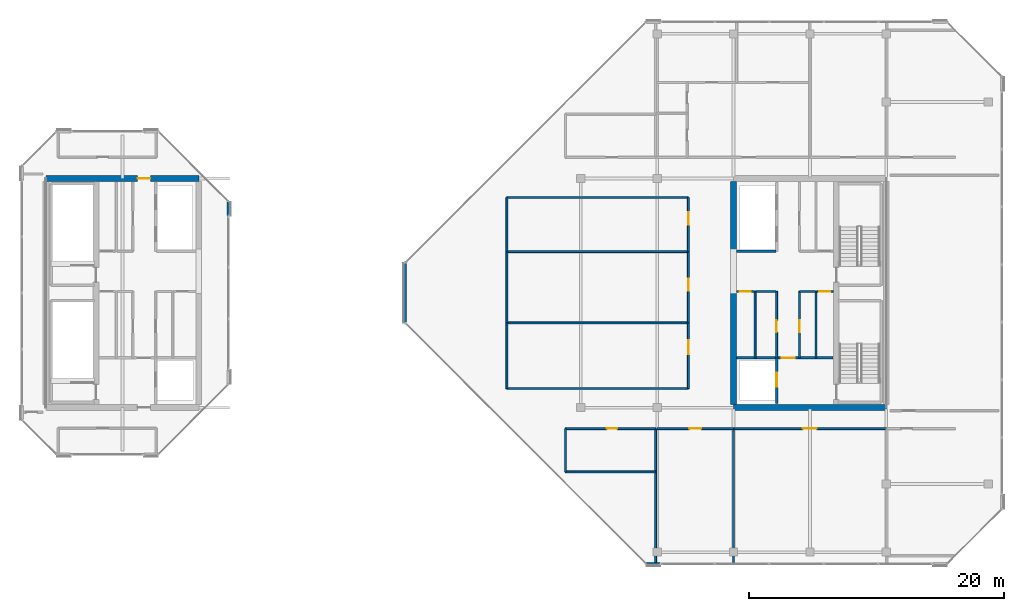
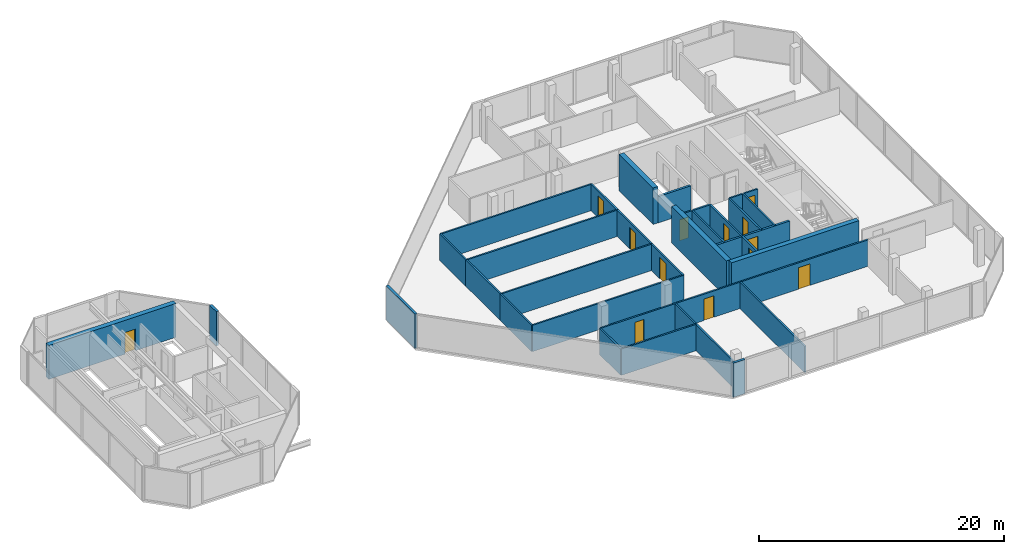
# One storey, part 24 of 28: 35 walls, 13 doors, 13 openings.
"""IFC4 building model written with IfcOpenShell, lengths in metres."""

from ifc_helpers import new_model, si_unit, direction, frame, frame_2d, origin, place, context, subcontext, project, spatial, rectangle, extrude, material, layer, layer_set, type_object, element, fill, save


model = new_model("IFC4")

# Units and contexts
model_context = context("Model", 3, precision=1e-05, world=origin(), true_north=direction((0.0, 1.0)))
body_context = subcontext(model_context, "Body", "Model", "MODEL_VIEW")
ifc_project = project(units=[si_unit("LENGTHUNIT", "METRE"), si_unit("AREAUNIT", "SQUARE_METRE"), si_unit("VOLUMEUNIT", "CUBIC_METRE"), si_unit("PLANEANGLEUNIT", "RADIAN"), si_unit("MASSUNIT", "GRAM", prefix="KILO")], contexts=[model_context])

# Site, building, storey
site_placement = place(None, origin())
site = spatial("IfcSite", under=ifc_project, at=site_placement, CompositionType="ELEMENT")
building_placement = place(site_placement, origin())
building = spatial("IfcBuilding", under=site, at=building_placement, Name="Tanjung Sevakor Pilgrim Tower", CompositionType="ELEMENT")
storey_placement = place(building_placement, frame((0.0, 0.0, 257.070068359375)))
storey = spatial("IfcBuildingStorey", under=building, at=storey_placement, Name="L72", CompositionType="ELEMENT", Elevation=257.070068359375)

# Wall, opening, door
ifc_material_1 = material(Name="Concrete C60/75", Category="concrete")
ifc_layer_1 = layer(ifc_material_1, 0.449951171875)
ifc_layer_set_1 = layer_set([ifc_layer_1], Name="WALL-CW-450")
wall_type_1 = type_object("IfcWallType", Name="WALL-CW-450", PredefinedType="SHEAR", material=ifc_layer_set_1)
wall_1_placement = place(storey_placement, frame((36.0, 42.60009765625, 0.0), z_axis=(0.0, 0.0, 1.0), x_axis=(-1.0, 0.0, 0.0)))
wall_1 = element("IfcWall", 1, at=wall_1_placement, inside=storey, type_object=wall_type_1, Name="L72 W Core North Shear Wall", PredefinedType="SHEAR", context=body_context, shape_type="SweptSolid", body=[
    extrude(rectangle(XDim=12.0, YDim=0.449951171875, at=frame_2d((6.0, 0.0))), origin(), (0.0, 0.0, 1.0), 3.369873046875),
])
opening_1_placement = place(wall_1_placement, frame((3.800048828125, 0.0, 0.0)))
opening_1 = element("IfcOpeningElement", 2, at=opening_1_placement, cuts=wall_1, Name="Opening ID-FD1", PredefinedType="OPENING", context=body_context, shape_type="SweptSolid", body=[
    extrude(rectangle(XDim=1.0, YDim=2.14990234375, at=frame_2d((0.5, 1.074951171875))), frame((0.0, 0.23486328125, 0.0), z_axis=(0.0, -1.0, 0.0), x_axis=(1.0, 0.0, 0.0)), (0.0, 0.0, 1.0), 0.469970703125),
])
ifc_material_2 = material(Name="Fire-Rated Steel S355J2", Category="steel")
door_type_1 = type_object("IfcDoorType", Name="DT-FIRE-1000", OperationType="NOTDEFINED", PredefinedType="DOOR", material=ifc_material_2)
door_1_placement = place(opening_1_placement, origin())
door_1 = element("IfcDoor", 3, at=door_1_placement, inside=storey, type_object=door_type_1, Name="L72 West Core North Vestibule Fire Door", OperationType="SINGLE_SWING_RIGHT", OverallHeight=2.14990234375, OverallWidth=1.0, PredefinedType="DOOR", context=body_context, shape_type="SweptSolid", body=[
    extrude(rectangle(XDim=1.0, YDim=2.14990234375, at=frame_2d((0.5, 1.074951171875))), frame((0.0, 0.02490234375, 0.0), z_axis=(0.0, -1.0, 0.0), x_axis=(1.0, 0.0, 0.0)), (0.0, 0.0, 1.0), 0.050048828125),
])
fill(opening_1, door_1)

# Walls
wall_2_placement = place(storey_placement, frame((78.0, 24.60009765625, 0.0), z_axis=(0.0, 0.0, 1.0), x_axis=(1.0, 0.0, 0.0)))
element("IfcWall", 4, at=wall_2_placement, inside=storey, type_object=wall_type_1, Name="L72 E Core South Shear Wall", PredefinedType="SHEAR", context=body_context, shape_type="SweptSolid", body=[
    extrude(rectangle(XDim=12.0, YDim=0.449951171875, at=frame_2d((6.0, 0.0))), origin(), (0.0, 0.0, 1.0), 3.6298828125),
])
wall_3_placement = place(storey_placement, frame((78.0, 24.824951171875, 0.0), z_axis=(0.0, 0.0, 1.0), x_axis=(0.0, 1.0, 0.0)))
element("IfcWall", 5, at=wall_3_placement, inside=storey, type_object=wall_type_1, Name="L72 E Core Inner Shear Wall South", PredefinedType="SHEAR", context=body_context, shape_type="SweptSolid", body=[
    extrude(rectangle(XDim=8.97509765625, YDim=0.449951171875, at=frame_2d((4.487548828125, 0.0))), origin(), (0.0, 0.0, 1.0), 3.6298828125),
])
wall_4_placement = place(storey_placement, frame((78.0, 36.800048828125, 0.0), z_axis=(0.0, 0.0, 1.0), x_axis=(0.0, 1.0, 0.0)))
element("IfcWall", 6, at=wall_4_placement, inside=storey, type_object=wall_type_1, Name="L72 E Core Inner Shear Wall North", PredefinedType="SHEAR", context=body_context, shape_type="SweptSolid", body=[
    extrude(rectangle(XDim=5.574951171875, YDim=0.449951171875, at=frame_2d((2.78759765625, 0.0))), origin(), (0.0, 0.0, 1.0), 3.6298828125),
])
ifc_material_3 = material(Name="Concrete C40/50", Category="concrete")
ifc_layer_2 = layer(ifc_material_3, 0.14990234375)
ifc_layer_set_2 = layer_set([ifc_layer_2], Name="WT-COMP-150")
wall_type_2 = type_object("IfcWallType", Name="WT-COMP-150", PredefinedType="SOLIDWALL", material=ifc_layer_set_2)
wall_5_placement = place(storey_placement, frame((84.47998046875, 28.5, 0.0), z_axis=(0.0, 0.0, 1.0), x_axis=(0.0, 1.0, 0.0)))
element("IfcWall", 7, at=wall_5_placement, inside=storey, type_object=wall_type_2, Name="L72 Partition IW-L72-019", PredefinedType="SOLIDWALL", context=body_context, shape_type="SweptSolid", body=[
    extrude(rectangle(XDim=5.219970703125, YDim=0.14990234375, at=frame_2d((2.60986328125, 0.0))), origin(), (0.0, 0.0, 1.0), 2.6298828125),
])

# Wall, opening, door
wall_6_placement = place(storey_placement, frame((84.550048828125, 33.719970703125, 0.0), z_axis=(0.0, 0.0, 1.0), x_axis=(1.0, 0.0, 0.0)))
wall_6 = element("IfcWall", 8, at=wall_6_placement, inside=storey, type_object=wall_type_2, Name="L72 Partition IW-L72-020", PredefinedType="SOLIDWALL", context=body_context, shape_type="SweptSolid", body=[
    extrude(rectangle(XDim=1.280029296875, YDim=0.14990234375, at=frame_2d((0.64013671875, 0.0))), origin(), (0.0, 0.0, 1.0), 2.6298828125),
])
opening_2_placement = place(wall_6_placement, frame((0.179931640625, 0.0, 0.0)))
opening_2 = element("IfcOpeningElement", 9, at=opening_2_placement, cuts=wall_6, Name="Opening ID-FD3", PredefinedType="OPENING", context=body_context, shape_type="SweptSolid", body=[
    extrude(rectangle(XDim=0.85009765625, YDim=2.10009765625, at=frame_2d((0.425048828125, 1.050048828125))), frame((0.0, 0.0849609375, 0.0), z_axis=(0.0, -1.0, 0.0), x_axis=(1.0, 0.0, 0.0)), (0.0, 0.0, 1.0), 0.169921875),
])
ifc_material_4 = material(Name="Fire-Rated Timber", Category="wood")
door_type_2 = type_object("IfcDoorType", Name="DT-FIRE-850", OperationType="NOTDEFINED", PredefinedType="DOOR", material=ifc_material_4)
door_2_placement = place(opening_2_placement, origin())
door_2 = element("IfcDoor", 10, at=door_2_placement, inside=storey, type_object=door_type_2, Name="L72 Cleaner Store Door", OperationType="SINGLE_SWING_RIGHT", OverallHeight=2.10009765625, OverallWidth=0.85009765625, PredefinedType="DOOR", context=body_context, shape_type="SweptSolid", body=[
    extrude(rectangle(XDim=0.85009765625, YDim=2.10009765625, at=frame_2d((0.425048828125, 1.050048828125))), frame((0.0, 0.02490234375, 0.0), z_axis=(0.0, -1.0, 0.0), x_axis=(1.0, 0.0, 0.0)), (0.0, 0.0, 1.0), 0.050048828125),
])
fill(opening_2, door_2)

# Wall
wall_7_placement = place(storey_placement, frame((83.199951171875, 33.719970703125, 0.0), z_axis=(0.0, 0.0, 1.0), x_axis=(1.0, 0.0, 0.0)))
element("IfcWall", 11, at=wall_7_placement, inside=storey, type_object=wall_type_2, Name="L72 Partition IW-L72-021", PredefinedType="SOLIDWALL", context=body_context, shape_type="SweptSolid", body=[
    extrude(rectangle(XDim=1.219970703125, YDim=0.14990234375, at=frame_2d((0.60986328125, 0.0))), origin(), (0.0, 0.0, 1.0), 2.6298828125),
])

# Wall, opening, door
wall_8_placement = place(storey_placement, frame((83.179931640625, 28.5, 0.0), z_axis=(0.0, 0.0, 1.0), x_axis=(0.0, 1.0, 0.0)))
wall_8 = element("IfcWall", 12, at=wall_8_placement, inside=storey, type_object=wall_type_2, Name="L72 Partition IW-L72-022", PredefinedType="SOLIDWALL", context=body_context, shape_type="SweptSolid", body=[
    extrude(rectangle(XDim=5.219970703125, YDim=0.14990234375, at=frame_2d((2.60986328125, 0.0))), origin(), (0.0, 0.0, 1.0), 2.6298828125),
])
opening_3_placement = place(wall_8_placement, frame((2.0, 0.0, 0.0)))
opening_3 = element("IfcOpeningElement", 13, at=opening_3_placement, cuts=wall_8, Name="Opening ID-FD2", PredefinedType="OPENING", context=body_context, shape_type="SweptSolid", body=[
    extrude(rectangle(XDim=0.949951171875, YDim=2.14990234375, at=frame_2d((0.47509765625, 1.074951171875))), frame((0.0, 0.0849609375, 0.0), z_axis=(0.0, -1.0, 0.0), x_axis=(1.0, 0.0, 0.0)), (0.0, 0.0, 1.0), 0.169921875),
])
ifc_material_5 = material(Name="Fire-Rated Timber", Category="wood")
door_type_3 = type_object("IfcDoorType", Name="DT-FIRE-950", OperationType="NOTDEFINED", PredefinedType="DOOR", material=ifc_material_5)
door_3_placement = place(opening_3_placement, origin())
door_3 = element("IfcDoor", 14, at=door_3_placement, inside=storey, type_object=door_type_3, Name="L72 Housekeeping Pantry Door", OperationType="SINGLE_SWING_LEFT", OverallHeight=2.14990234375, OverallWidth=0.949951171875, PredefinedType="DOOR", context=body_context, shape_type="SweptSolid", body=[
    extrude(rectangle(XDim=0.949951171875, YDim=2.14990234375, at=frame_2d((0.47509765625, 1.074951171875))), frame((0.0, 0.02490234375, 0.0), z_axis=(0.0, -1.0, 0.0), x_axis=(1.0, 0.0, 0.0)), (0.0, 0.0, 1.0), 0.050048828125),
])
fill(opening_3, door_3)

# Walls
wall_9_placement = place(storey_placement, frame((79.699951171875, 28.5, 0.0), z_axis=(0.0, 0.0, 1.0), x_axis=(0.0, 1.0, 0.0)))
element("IfcWall", 15, at=wall_9_placement, inside=storey, type_object=wall_type_2, Name="L72 Partition IW-L72-023", PredefinedType="SOLIDWALL", context=body_context, shape_type="SweptSolid", body=[
    extrude(rectangle(XDim=5.219970703125, YDim=0.14990234375, at=frame_2d((2.60986328125, 0.0))), origin(), (0.0, 0.0, 1.0), 2.6298828125),
])
wall_10_placement = place(storey_placement, frame((79.760009765625, 33.719970703125, 0.0), z_axis=(0.0, 0.0, 1.0), x_axis=(1.0, 0.0, 0.0)))
element("IfcWall", 16, at=wall_10_placement, inside=storey, type_object=wall_type_2, Name="L72 Partition IW-L72-024", PredefinedType="SOLIDWALL", context=body_context, shape_type="SweptSolid", body=[
    extrude(rectangle(XDim=1.56005859375, YDim=0.14990234375, at=frame_2d((0.780029296875, 0.0))), origin(), (0.0, 0.0, 1.0), 2.6298828125),
])

# Wall, opening, door
wall_11_placement = place(storey_placement, frame((78.2451171875, 33.719970703125, 0.0), z_axis=(0.0, 0.0, 1.0), x_axis=(1.0, 0.0, 0.0)))
wall_11 = element("IfcWall", 17, at=wall_11_placement, inside=storey, type_object=wall_type_2, Name="L72 Partition IW-L72-025", PredefinedType="SOLIDWALL", context=body_context, shape_type="SweptSolid", body=[
    extrude(rectangle(XDim=1.394775390625, YDim=0.14990234375, at=frame_2d((0.697265625, 0.0))), origin(), (0.0, 0.0, 1.0), 2.6298828125),
])
opening_4_placement = place(wall_11_placement, frame((0.239990234375, 0.0, 0.0)))
opening_4 = element("IfcOpeningElement", 18, at=opening_4_placement, cuts=wall_11, Name="Opening ID-FD3", PredefinedType="OPENING", context=body_context, shape_type="SweptSolid", body=[
    extrude(rectangle(XDim=0.85009765625, YDim=2.10009765625, at=frame_2d((0.425048828125, 1.050048828125))), frame((0.0, 0.0849609375, 0.0), z_axis=(0.0, -1.0, 0.0), x_axis=(1.0, 0.0, 0.0)), (0.0, 0.0, 1.0), 0.169921875),
])
door_4_placement = place(opening_4_placement, origin())
door_4 = element("IfcDoor", 19, at=door_4_placement, inside=storey, type_object=door_type_2, Name="L72 Service Store Door", OperationType="SINGLE_SWING_RIGHT", OverallHeight=2.10009765625, OverallWidth=0.85009765625, PredefinedType="DOOR", context=body_context, shape_type="SweptSolid", body=[
    extrude(rectangle(XDim=0.85009765625, YDim=2.10009765625, at=frame_2d((0.425048828125, 1.050048828125))), frame((0.0, 0.02490234375, 0.0), z_axis=(0.0, -1.0, 0.0), x_axis=(1.0, 0.0, 0.0)), (0.0, 0.0, 1.0), 0.050048828125),
])
fill(opening_4, door_4)

wall_12_placement = place(storey_placement, frame((81.3798828125, 28.5, 0.0), z_axis=(0.0, 0.0, 1.0), x_axis=(0.0, 1.0, 0.0)))
wall_12 = element("IfcWall", 20, at=wall_12_placement, inside=storey, type_object=wall_type_2, Name="L72 Partition IW-L72-026", PredefinedType="SOLIDWALL", context=body_context, shape_type="SweptSolid", body=[
    extrude(rectangle(XDim=5.219970703125, YDim=0.14990234375, at=frame_2d((2.60986328125, 0.0))), origin(), (0.0, 0.0, 1.0), 2.6298828125),
])
opening_5_placement = place(wall_12_placement, frame((2.0, 0.0, 0.0)))
opening_5 = element("IfcOpeningElement", 21, at=opening_5_placement, cuts=wall_12, Name="Opening ID-FD2", PredefinedType="OPENING", context=body_context, shape_type="SweptSolid", body=[
    extrude(rectangle(XDim=0.949951171875, YDim=2.14990234375, at=frame_2d((0.47509765625, 1.074951171875))), frame((0.0, 0.0849609375, 0.0), z_axis=(0.0, -1.0, 0.0), x_axis=(1.0, 0.0, 0.0)), (0.0, 0.0, 1.0), 0.169921875),
])
door_5_placement = place(opening_5_placement, origin())
door_5 = element("IfcDoor", 22, at=door_5_placement, inside=storey, type_object=door_type_3, Name="L72 Accessible WC Door", OperationType="SINGLE_SWING_LEFT", OverallHeight=2.14990234375, OverallWidth=0.949951171875, PredefinedType="DOOR", context=body_context, shape_type="SweptSolid", body=[
    extrude(rectangle(XDim=0.949951171875, YDim=2.14990234375, at=frame_2d((0.47509765625, 1.074951171875))), frame((0.0, 0.02490234375, 0.0), z_axis=(0.0, -1.0, 0.0), x_axis=(1.0, 0.0, 0.0)), (0.0, 0.0, 1.0), 0.050048828125),
])
fill(opening_5, door_5)

# Wall
wall_13_placement = place(storey_placement, frame((64.800048828125, 19.550048828125, 0.0), z_axis=(0.0, 0.0, 1.0), x_axis=(1.0, 0.0, 0.0)))
element("IfcWall", 23, at=wall_13_placement, inside=storey, type_object=wall_type_2, Name="L72 Partition IW-L72-041", PredefinedType="SOLIDWALL", context=body_context, shape_type="SweptSolid", body=[
    extrude(rectangle(XDim=7.079833984375, YDim=0.14990234375, at=frame_2d((3.5400390625, 0.0))), origin(), (0.0, 0.0, 1.0), 2.6298828125),
])

# Wall, opening, door
wall_14_placement = place(storey_placement, frame((64.800048828125, 22.949951171875, 0.0), z_axis=(0.0, 0.0, 1.0), x_axis=(1.0, 0.0, 0.0)))
wall_14 = element("IfcWall", 24, at=wall_14_placement, inside=storey, type_object=wall_type_2, Name="L72 Partition IW-L72-042", PredefinedType="SOLIDWALL", context=body_context, shape_type="SweptSolid", body=[
    extrude(rectangle(XDim=7.079833984375, YDim=0.14990234375, at=frame_2d((3.5400390625, 0.0))), origin(), (0.0, 0.0, 1.0), 2.6298828125),
])
opening_6_placement = place(wall_14_placement, frame((3.22509765625, 0.0, 0.0)))
opening_6 = element("IfcOpeningElement", 25, at=opening_6_placement, cuts=wall_14, Name="Opening ID-WC1", PredefinedType="OPENING", context=body_context, shape_type="SweptSolid", body=[
    extrude(rectangle(XDim=0.85009765625, YDim=2.10009765625, at=frame_2d((0.425048828125, 1.050048828125))), frame((0.0, 0.0849609375, 0.0), z_axis=(0.0, -1.0, 0.0), x_axis=(1.0, 0.0, 0.0)), (0.0, 0.0, 1.0), 0.169921875),
])
ifc_material_6 = material(Name="Moisture-Resistant Timber", Category="wood")
door_type_4 = type_object("IfcDoorType", Name="DT-INT-850", OperationType="NOTDEFINED", PredefinedType="DOOR", material=ifc_material_6)
door_6_placement = place(opening_6_placement, origin())
door_6 = element("IfcDoor", 26, at=door_6_placement, inside=storey, type_object=door_type_4, Name="L72 SW Crown Suite Door", OperationType="SINGLE_SWING_LEFT", OverallHeight=2.10009765625, OverallWidth=0.85009765625, PredefinedType="DOOR", context=body_context, shape_type="SweptSolid", body=[
    extrude(rectangle(XDim=0.85009765625, YDim=2.10009765625, at=frame_2d((0.425048828125, 1.050048828125))), frame((0.0, 0.02490234375, 0.0), z_axis=(0.0, -1.0, 0.0), x_axis=(1.0, 0.0, 0.0)), (0.0, 0.0, 1.0), 0.050048828125),
])
fill(opening_6, door_6)

# Walls
wall_15_placement = place(storey_placement, frame((64.800048828125, 19.550048828125, 0.0), z_axis=(0.0, 0.0, 1.0), x_axis=(0.0, 1.0, 0.0)))
element("IfcWall", 27, at=wall_15_placement, inside=storey, type_object=wall_type_2, Name="L72 Partition IW-L72-043", PredefinedType="SOLIDWALL", context=body_context, shape_type="SweptSolid", body=[
    extrude(rectangle(XDim=3.39990234375, YDim=0.14990234375, at=frame_2d((1.699951171875, 0.0))), origin(), (0.0, 0.0, 1.0), 2.6298828125),
])
for number, where, z_axis, x_axis, name in (
    (28, (71.8798828125, 12.340087890625, 0.0), (0.0, 0.0, 1.0), (0.0, 1.0, 0.0), "L72 Partition IW-L72-044"),
    (29, (78.0, 12.340087890625, 0.0), (0.0, 0.0, 1.0), (0.0, 1.0, 0.0), "L72 Partition IW-L72-057"),
):
    element("IfcWall", number, at=place(storey_placement, frame(where, z_axis=z_axis, x_axis=x_axis)), inside=storey, type_object=wall_type_2, Name=name, PredefinedType="SOLIDWALL", context=body_context, shape_type="SweptSolid", body=[
        extrude(rectangle(XDim=10.60986328125, YDim=0.14990234375, at=frame_2d((5.304931640625, 0.0))), origin(), (0.0, 0.0, 1.0), 2.6298828125),
    ])

# Wall, opening, door
wall_16_placement = place(storey_placement, frame((72.0, 22.949951171875, 0.0), z_axis=(0.0, 0.0, 1.0), x_axis=(1.0, 0.0, 0.0)))
wall_16 = element("IfcWall", 30, at=wall_16_placement, inside=storey, type_object=wall_type_2, Name="L72 Partition IW-L72-058", PredefinedType="SOLIDWALL", context=body_context, shape_type="SweptSolid", body=[
    extrude(rectangle(XDim=6.0, YDim=0.14990234375, at=frame_2d((3.0, 0.0))), origin(), (0.0, 0.0, 1.0), 2.6298828125),
])
opening_7_placement = place(wall_16_placement, frame((2.52490234375, 0.0, 0.0)))
opening_7 = element("IfcOpeningElement", 31, at=opening_7_placement, cuts=wall_16, Name="Opening ID-FD2", PredefinedType="OPENING", context=body_context, shape_type="SweptSolid", body=[
    extrude(rectangle(XDim=0.949951171875, YDim=2.14990234375, at=frame_2d((0.47509765625, 1.074951171875))), frame((0.0, 0.0849609375, 0.0), z_axis=(0.0, -1.0, 0.0), x_axis=(1.0, 0.0, 0.0)), (0.0, 0.0, 1.0), 0.169921875),
])
door_7_placement = place(opening_7_placement, origin())
door_7 = element("IfcDoor", 32, at=door_7_placement, inside=storey, type_object=door_type_3, Name="Housekeeping Pantry Door", OperationType="SINGLE_SWING_RIGHT", OverallHeight=2.14990234375, OverallWidth=0.949951171875, PredefinedType="DOOR", context=body_context, shape_type="SweptSolid", body=[
    extrude(rectangle(XDim=0.949951171875, YDim=2.14990234375, at=frame_2d((0.47509765625, 1.074951171875))), frame((0.0, 0.02490234375, 0.0), z_axis=(0.0, -1.0, 0.0), x_axis=(1.0, 0.0, 0.0)), (0.0, 0.0, 1.0), 0.050048828125),
])
fill(opening_7, door_7)

wall_17_placement = place(storey_placement, frame((78.0, 22.949951171875, 0.0), z_axis=(0.0, 0.0, 1.0), x_axis=(1.0, 0.0, 0.0)))
wall_17 = element("IfcWall", 33, at=wall_17_placement, inside=storey, type_object=wall_type_2, Name="L72 Partition IW-L72-059", PredefinedType="SOLIDWALL", context=body_context, shape_type="SweptSolid", body=[
    extrude(rectangle(XDim=12.0, YDim=0.14990234375, at=frame_2d((6.0, 0.0))), origin(), (0.0, 0.0, 1.0), 2.6298828125),
])
opening_8_placement = place(wall_17_placement, frame((5.449951171875, 0.0, 0.0)))
opening_8 = element("IfcOpeningElement", 34, at=opening_8_placement, cuts=wall_17, Name="Opening ID-FD0", PredefinedType="OPENING", context=body_context, shape_type="SweptSolid", body=[
    extrude(rectangle(XDim=1.10009765625, YDim=2.14990234375, at=frame_2d((0.550048828125, 1.074951171875))), frame((0.0, 0.0849609375, 0.0), z_axis=(0.0, -1.0, 0.0), x_axis=(1.0, 0.0, 0.0)), (0.0, 0.0, 1.0), 0.169921875),
])
ifc_material_7 = material(Name="Fire-Rated Steel S355J2", Category="steel")
door_type_5 = type_object("IfcDoorType", Name="DT-FIRE-1100", OperationType="NOTDEFINED", PredefinedType="DOOR", material=ifc_material_7)
door_8_placement = place(opening_8_placement, origin())
door_8 = element("IfcDoor", 35, at=door_8_placement, inside=storey, type_object=door_type_5, Name="Communal Lounge Door", OperationType="SINGLE_SWING_LEFT", OverallHeight=2.14990234375, OverallWidth=1.10009765625, PredefinedType="DOOR", context=body_context, shape_type="SweptSolid", body=[
    extrude(rectangle(XDim=1.10009765625, YDim=2.14990234375, at=frame_2d((0.550048828125, 1.074951171875))), frame((0.0, 0.02490234375, 0.0), z_axis=(0.0, -1.0, 0.0), x_axis=(1.0, 0.0, 0.0)), (0.0, 0.0, 1.0), 0.050048828125),
])
fill(opening_8, door_8)

# Walls
for number, where, z_axis, x_axis, name in (
    (36, (60.199951171875, 26.10009765625, 0.0), (0.0, 0.0, 1.0), (1.0, 0.0, 0.0), "L72 Partition IW-L72-067"),
    (37, (60.199951171875, 31.25, 0.0), (0.0, 0.0, 1.0), (1.0, 0.0, 0.0), "L72 Partition IW-L72-068"),
):
    element("IfcWall", number, at=place(storey_placement, frame(where, z_axis=z_axis, x_axis=x_axis)), inside=storey, type_object=wall_type_2, Name=name, PredefinedType="SOLIDWALL", context=body_context, shape_type="SweptSolid", body=[
        extrude(rectangle(XDim=14.25, YDim=0.14990234375, at=frame_2d((7.125, 0.0))), origin(), (0.0, 0.0, 1.0), 2.6298828125),
    ])
wall_18_placement = place(storey_placement, frame((60.199951171875, 26.10009765625, 0.0), z_axis=(0.0, 0.0, 1.0), x_axis=(0.0, 1.0, 0.0)))
element("IfcWall", 38, at=wall_18_placement, inside=storey, type_object=wall_type_2, Name="L72 Partition IW-L72-069", PredefinedType="SOLIDWALL", context=body_context, shape_type="SweptSolid", body=[
    extrude(rectangle(XDim=5.14990234375, YDim=0.14990234375, at=frame_2d((2.574951171875, 0.0))), origin(), (0.0, 0.0, 1.0), 2.6298828125),
])

# Wall, opening, door
wall_19_placement = place(storey_placement, frame((74.449951171875, 26.10009765625, 0.0), z_axis=(0.0, 0.0, 1.0), x_axis=(0.0, 1.0, 0.0)))
wall_19 = element("IfcWall", 39, at=wall_19_placement, inside=storey, type_object=wall_type_2, Name="L72 Partition IW-L72-070", PredefinedType="SOLIDWALL", context=body_context, shape_type="SweptSolid", body=[
    extrude(rectangle(XDim=5.14990234375, YDim=0.14990234375, at=frame_2d((2.574951171875, 0.0))), origin(), (0.0, 0.0, 1.0), 2.6298828125),
])
opening_9_placement = place(wall_19_placement, frame((2.699951171875, 0.0, 0.0)))
opening_9 = element("IfcOpeningElement", 40, at=opening_9_placement, cuts=wall_19, Name="Opening ID-RM2", PredefinedType="OPENING", context=body_context, shape_type="SweptSolid", body=[
    extrude(rectangle(XDim=1.10009765625, YDim=2.14990234375, at=frame_2d((0.550048828125, 1.074951171875))), frame((0.0, 0.0849609375, 0.0), z_axis=(0.0, -1.0, 0.0), x_axis=(1.0, 0.0, 0.0)), (0.0, 0.0, 1.0), 0.169921875),
])
ifc_material_8 = material(Name="Hardwood Timber", Category="wood")
door_type_6 = type_object("IfcDoorType", Name="DT-INT-1100", OperationType="NOTDEFINED", PredefinedType="DOOR", material=ifc_material_8)
door_9_placement = place(opening_9_placement, origin())
door_9 = element("IfcDoor", 41, at=door_9_placement, inside=storey, type_object=door_type_6, Name="L72 South Peak Lounge Door", OperationType="SINGLE_SWING_RIGHT", OverallHeight=2.14990234375, OverallWidth=1.10009765625, PredefinedType="DOOR", context=body_context, shape_type="SweptSolid", body=[
    extrude(rectangle(XDim=1.10009765625, YDim=2.14990234375, at=frame_2d((0.550048828125, 1.074951171875))), frame((0.0, 0.02490234375, 0.0), z_axis=(0.0, -1.0, 0.0), x_axis=(1.0, 0.0, 0.0)), (0.0, 0.0, 1.0), 0.050048828125),
])
fill(opening_9, door_9)

# Walls
wall_20_placement = place(storey_placement, frame((60.199951171875, 36.85009765625, 0.0), z_axis=(0.0, 0.0, 1.0), x_axis=(1.0, 0.0, 0.0)))
element("IfcWall", 42, at=wall_20_placement, inside=storey, type_object=wall_type_2, Name="L72 Partition IW-L72-071", PredefinedType="SOLIDWALL", context=body_context, shape_type="SweptSolid", body=[
    extrude(rectangle(XDim=14.25, YDim=0.14990234375, at=frame_2d((7.125, 0.0))), origin(), (0.0, 0.0, 1.0), 2.6298828125),
])
wall_21_placement = place(storey_placement, frame((60.199951171875, 31.25, 0.0), z_axis=(0.0, 0.0, 1.0), x_axis=(0.0, 1.0, 0.0)))
element("IfcWall", 43, at=wall_21_placement, inside=storey, type_object=wall_type_2, Name="L72 Partition IW-L72-072", PredefinedType="SOLIDWALL", context=body_context, shape_type="SweptSolid", body=[
    extrude(rectangle(XDim=5.60009765625, YDim=0.14990234375, at=frame_2d((2.800048828125, 0.0))), origin(), (0.0, 0.0, 1.0), 2.6298828125),
])

# Wall, opening, door
wall_22_placement = place(storey_placement, frame((74.449951171875, 31.25, 0.0), z_axis=(0.0, 0.0, 1.0), x_axis=(0.0, 1.0, 0.0)))
wall_22 = element("IfcWall", 44, at=wall_22_placement, inside=storey, type_object=wall_type_2, Name="L72 Partition IW-L72-073", PredefinedType="SOLIDWALL", context=body_context, shape_type="SweptSolid", body=[
    extrude(rectangle(XDim=5.60009765625, YDim=0.14990234375, at=frame_2d((2.800048828125, 0.0))), origin(), (0.0, 0.0, 1.0), 2.6298828125),
])
opening_10_placement = place(wall_22_placement, frame((2.52490234375, 0.0, 0.0)))
opening_10 = element("IfcOpeningElement", 45, at=opening_10_placement, cuts=wall_22, Name="Opening ID-RM1", PredefinedType="OPENING", context=body_context, shape_type="SweptSolid", body=[
    extrude(rectangle(XDim=0.949951171875, YDim=2.14990234375, at=frame_2d((0.47509765625, 1.074951171875))), frame((0.0, 0.0849609375, 0.0), z_axis=(0.0, -1.0, 0.0), x_axis=(1.0, 0.0, 0.0)), (0.0, 0.0, 1.0), 0.169921875),
])
ifc_material_9 = material(Name="Hardwood Timber", Category="wood")
door_type_7 = type_object("IfcDoorType", Name="DT-INT-950", OperationType="NOTDEFINED", PredefinedType="DOOR", material=ifc_material_9)
door_10_placement = place(opening_10_placement, origin())
door_10 = element("IfcDoor", 46, at=door_10_placement, inside=storey, type_object=door_type_7, Name="L72 Mid Peak Study Door", OperationType="SINGLE_SWING_LEFT", OverallHeight=2.14990234375, OverallWidth=0.949951171875, PredefinedType="DOOR", context=body_context, shape_type="SweptSolid", body=[
    extrude(rectangle(XDim=0.949951171875, YDim=2.14990234375, at=frame_2d((0.47509765625, 1.074951171875))), frame((0.0, 0.02490234375, 0.0), z_axis=(0.0, -1.0, 0.0), x_axis=(1.0, 0.0, 0.0)), (0.0, 0.0, 1.0), 0.050048828125),
])
fill(opening_10, door_10)

# Walls
wall_23_placement = place(storey_placement, frame((60.199951171875, 41.10009765625, 0.0), z_axis=(0.0, 0.0, 1.0), x_axis=(1.0, 0.0, 0.0)))
element("IfcWall", 47, at=wall_23_placement, inside=storey, type_object=wall_type_2, Name="L72 Partition IW-L72-074", PredefinedType="SOLIDWALL", context=body_context, shape_type="SweptSolid", body=[
    extrude(rectangle(XDim=14.25, YDim=0.14990234375, at=frame_2d((7.125, 0.0))), origin(), (0.0, 0.0, 1.0), 2.6298828125),
])
wall_24_placement = place(storey_placement, frame((60.199951171875, 36.85009765625, 0.0), z_axis=(0.0, 0.0, 1.0), x_axis=(0.0, 1.0, 0.0)))
element("IfcWall", 48, at=wall_24_placement, inside=storey, type_object=wall_type_2, Name="L72 Partition IW-L72-075", PredefinedType="SOLIDWALL", context=body_context, shape_type="SweptSolid", body=[
    extrude(rectangle(XDim=4.25, YDim=0.14990234375, at=frame_2d((2.125, 0.0))), origin(), (0.0, 0.0, 1.0), 2.6298828125),
])

# Wall, opening, door
wall_25_placement = place(storey_placement, frame((74.449951171875, 36.85009765625, 0.0), z_axis=(0.0, 0.0, 1.0), x_axis=(0.0, 1.0, 0.0)))
wall_25 = element("IfcWall", 49, at=wall_25_placement, inside=storey, type_object=wall_type_2, Name="L72 Partition IW-L72-076", PredefinedType="SOLIDWALL", context=body_context, shape_type="SweptSolid", body=[
    extrude(rectangle(XDim=4.25, YDim=0.14990234375, at=frame_2d((2.125, 0.0))), origin(), (0.0, 0.0, 1.0), 2.6298828125),
])
opening_11_placement = place(wall_25_placement, frame((2.125, 0.0, 0.0)))
opening_11 = element("IfcOpeningElement", 50, at=opening_11_placement, cuts=wall_25, Name="Opening ID-RM1", PredefinedType="OPENING", context=body_context, shape_type="SweptSolid", body=[
    extrude(rectangle(XDim=0.949951171875, YDim=2.14990234375, at=frame_2d((0.47509765625, 1.074951171875))), frame((0.0, 0.0849609375, 0.0), z_axis=(0.0, -1.0, 0.0), x_axis=(1.0, 0.0, 0.0)), (0.0, 0.0, 1.0), 0.169921875),
])
door_11_placement = place(opening_11_placement, origin())
door_11 = element("IfcDoor", 51, at=door_11_placement, inside=storey, type_object=door_type_7, Name="L72 North Peak Council Door", OperationType="SINGLE_SWING_RIGHT", OverallHeight=2.14990234375, OverallWidth=0.949951171875, PredefinedType="DOOR", context=body_context, shape_type="SweptSolid", body=[
    extrude(rectangle(XDim=0.949951171875, YDim=2.14990234375, at=frame_2d((0.47509765625, 1.074951171875))), frame((0.0, 0.02490234375, 0.0), z_axis=(0.0, -1.0, 0.0), x_axis=(1.0, 0.0, 0.0)), (0.0, 0.0, 1.0), 0.050048828125),
])
fill(opening_11, door_11)

# Walls
ifc_material_10 = material(Name="Precast concrete C45/55", Category="concrete")
ifc_layer_3 = layer(ifc_material_10, 0.219970703125)
ifc_layer_set_3 = layer_set([ifc_layer_3], Name="WT-EW-STN4")
wall_type_3 = type_object("IfcWallType", Name="WT-EW-STN4", PredefinedType="SOLIDWALL", material=ifc_layer_set_3)
for number, where, z_axis, x_axis, name in (
    (52, (38.340087890625, 39.654296875, 0.0), (0.0, 0.0, 1.0), (0.0, 1.0, 0.0), "L72 WEST Crown Pier 2-1B"),
    (53, (71.1455078125, 12.31005859375, 0.0), (0.0, 0.0, 1.0), (1.0, 0.0, 0.0), "L72 EAST Crown Pier 0-1A"),
):
    element("IfcWall", number, at=place(storey_placement, frame(where, z_axis=z_axis, x_axis=x_axis)), inside=storey, type_object=wall_type_3, Name=name, PredefinedType="SOLIDWALL", context=body_context, shape_type="SweptSolid", body=[
        extrude(rectangle(XDim=1.10009765625, YDim=0.219970703125, at=frame_2d((0.550048828125, 0.0))), origin(), (0.0, 0.0, 1.0), 3.409912109375),
    ])
wall_26_placement = place(storey_placement, frame((52.2099609375, 35.954345703125, 0.0), z_axis=(0.0, 0.0, 1.0), x_axis=(0.0, -1.0, 0.0)))
element("IfcWall", 54, at=wall_26_placement, inside=storey, type_object=wall_type_3, Name="L72 EAST Exterior Wall 7", PredefinedType="SOLIDWALL", context=body_context, shape_type="SweptSolid", body=[
    extrude(rectangle(XDim=4.708740234375, YDim=0.219970703125, at=frame_2d((2.3544921875, 0.0))), origin(), (0.0, 0.0, 1.0), 3.409912109375),
])

# Wall, opening, door
ifc_material_11 = material(Name="Concrete C40/50", Category="concrete")
ifc_layer_4 = layer(ifc_material_11, 0.199951171875)
ifc_layer_set_4 = layer_set([ifc_layer_4], Name="WT-FPRT-200")
wall_type_4 = type_object("IfcWallType", Name="WT-FPRT-200", PredefinedType="SOLIDWALL", material=ifc_layer_set_4)
wall_27_placement = place(storey_placement, frame((81.39990234375, 24.919921875, 0.0), z_axis=(0.0, 0.0, 1.0), x_axis=(0.0, 1.0, 0.0)))
wall_27 = element("IfcWall", 55, at=wall_27_placement, inside=storey, type_object=wall_type_4, Name="L72 Partition IW-L72-017", PredefinedType="SOLIDWALL", context=body_context, shape_type="SweptSolid", body=[
    extrude(rectangle(XDim=3.580078125, YDim=0.199951171875, at=frame_2d((1.7900390625, 0.0))), origin(), (0.0, 0.0, 1.0), 2.6298828125),
])
opening_12_placement = place(wall_27_placement, frame((1.300048828125, 0.0, 0.0)))
opening_12 = element("IfcOpeningElement", 56, at=opening_12_placement, cuts=wall_27, Name="Opening LD-1100", PredefinedType="OPENING", context=body_context, shape_type="SweptSolid", body=[
    extrude(rectangle(XDim=1.10009765625, YDim=2.199951171875, at=frame_2d((0.550048828125, 1.10009765625))), frame((0.0, 0.10986328125, 0.0), z_axis=(0.0, -1.0, 0.0), x_axis=(1.0, 0.0, 0.0)), (0.0, 0.0, 1.0), 0.219970703125),
])
ifc_material_12 = material(Name="Brushed Stainless Steel S355J2", Category="steel")
door_type_8 = type_object("IfcDoorType", Name="DT-LIFT-1100", OperationType="SLIDING_TO_LEFT", PredefinedType="DOOR", material=ifc_material_12)
door_12_placement = place(opening_12_placement, origin())
door_12 = element("IfcDoor", 57, at=door_12_placement, inside=storey, type_object=door_type_8, Name="LD-FL-E", OperationType="SLIDING_TO_LEFT", OverallHeight=2.199951171875, OverallWidth=1.10009765625, PredefinedType="DOOR", context=body_context, shape_type="SweptSolid", body=[
    extrude(rectangle(XDim=1.10009765625, YDim=2.199951171875, at=frame_2d((0.550048828125, 1.10009765625))), frame((0.0, 0.02490234375, 0.0), z_axis=(0.0, -1.0, 0.0), x_axis=(1.0, 0.0, 0.0)), (0.0, 0.0, 1.0), 0.050048828125),
])
fill(opening_12, door_12)

wall_28_placement = place(storey_placement, frame((78.2451171875, 28.5, 0.0), z_axis=(0.0, 0.0, 1.0), x_axis=(1.0, 0.0, 0.0)))
wall_28 = element("IfcWall", 58, at=wall_28_placement, inside=storey, type_object=wall_type_4, Name="L72 Partition IW-L72-018", PredefinedType="SOLIDWALL", context=body_context, shape_type="SweptSolid", body=[
    extrude(rectangle(XDim=7.5849609375, YDim=0.199951171875, at=frame_2d((3.79248046875, 0.0))), origin(), (0.0, 0.0, 1.0), 2.6298828125),
])
opening_13_placement = place(wall_28_placement, frame((3.554931640625, 0.0, 0.0)))
opening_13 = element("IfcOpeningElement", 59, at=opening_13_placement, cuts=wall_28, Name="Opening ID-FD1", PredefinedType="OPENING", context=body_context, shape_type="SweptSolid", body=[
    extrude(rectangle(XDim=1.0, YDim=2.14990234375, at=frame_2d((0.5, 1.074951171875))), frame((0.0, 0.10986328125, 0.0), z_axis=(0.0, -1.0, 0.0), x_axis=(1.0, 0.0, 0.0)), (0.0, 0.0, 1.0), 0.219970703125),
])
door_13_placement = place(opening_13_placement, origin())
door_13 = element("IfcDoor", 60, at=door_13_placement, inside=storey, type_object=door_type_1, Name="Fire Lobby Door E", OperationType="SINGLE_SWING_LEFT", OverallHeight=2.14990234375, OverallWidth=1.0, PredefinedType="DOOR", context=body_context, shape_type="SweptSolid", body=[
    extrude(rectangle(XDim=1.0, YDim=2.14990234375, at=frame_2d((0.5, 1.074951171875))), frame((0.0, 0.02490234375, 0.0), z_axis=(0.0, -1.0, 0.0), x_axis=(1.0, 0.0, 0.0)), (0.0, 0.0, 1.0), 0.050048828125),
])
fill(opening_13, door_13)

# Wall
wall_29_placement = place(storey_placement, frame((78.2451171875, 36.8798828125, 0.0), z_axis=(0.0, 0.0, 1.0), x_axis=(1.0, 0.0, 0.0)))
element("IfcWall", 61, at=wall_29_placement, inside=storey, type_object=wall_type_4, Name="L72 Partition IW-L72-031", PredefinedType="SOLIDWALL", context=body_context, shape_type="SweptSolid", body=[
    extrude(rectangle(XDim=3.074951171875, YDim=0.199951171875, at=frame_2d((1.53759765625, 0.0))), origin(), (0.0, 0.0, 1.0), 2.6298828125),
])

save(model, "model.ifc")
